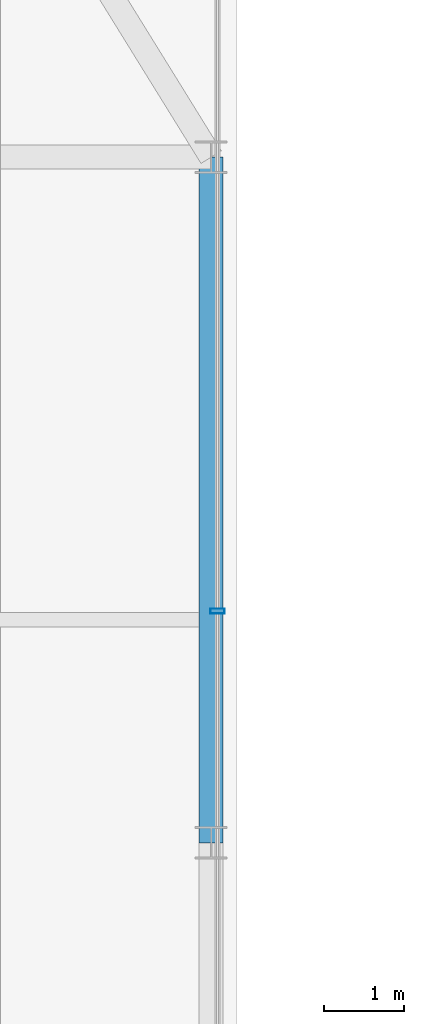
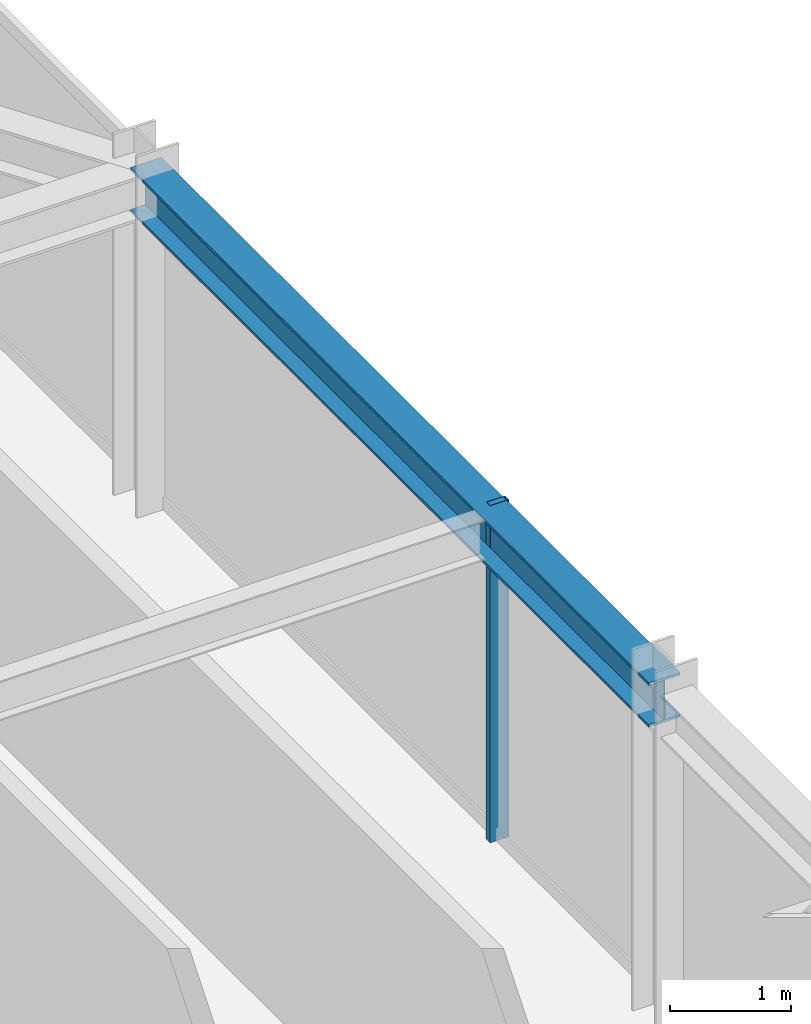
# One storey, part 25 of 36: 1 beam, 1 member, 1 element without a shape of its own.
"""IFC4 building model written with IfcOpenShell, lengths in metres."""

from ifc_helpers import new_model, si_unit, direction, frame, origin, origin_2d, place, context, subcontext, project, spatial, hollow_rectangle, i_section, extrude, source, transform, mapped, material, material_profile, profile_set, type_object, element, aggregate, save


model = new_model("IFC4")

# Units and contexts
model_context = context("Model", 3, precision=1e-05, world=origin(), true_north=direction((0.0, 1.0)))
body_context = subcontext(model_context, "Body", "Model", "MODEL_VIEW")
ifc_project = project(units=[si_unit("LENGTHUNIT", "METRE"), si_unit("AREAUNIT", "SQUARE_METRE"), si_unit("VOLUMEUNIT", "CUBIC_METRE"), si_unit("PLANEANGLEUNIT", "RADIAN"), si_unit("MASSUNIT", "GRAM", prefix="KILO")], contexts=[model_context])

# Site, building, storey
site_placement = place(None, origin())
site = spatial("IfcSite", under=ifc_project, at=site_placement, CompositionType="ELEMENT")
building_placement = place(site_placement, origin())
building = spatial("IfcBuilding", under=site, at=building_placement, Name="Nahalor Promenade Grand Hotel", CompositionType="ELEMENT")
storey_placement = place(building_placement, frame((0.0, 0.0, 234.5)))
storey = spatial("IfcBuildingStorey", under=building, at=storey_placement, Name="L60", CompositionType="ELEMENT", Elevation=234.5)

# Beam
ifc_material_1 = material(Name="Steel S355JR", Category="steel")
ifc_material_profile_1 = material_profile(ifc_material_1, i_section(OverallWidth=0.3, OverallDepth=0.45, WebThickness=0.014, FlangeThickness=0.026, at=origin_2d()), Name="HEB 450")
ifc_profile_set_1 = profile_set([ifc_material_profile_1], Name="Steel S355JR")
beam_type = type_object("IfcBeamType", Name="Beam-Spandrel-HEB450", PredefinedType="SPANDREL", material=ifc_profile_set_1)
shared_shape_1 = source(origin(), body_context, "Body", "SweptSolid", [
    extrude(i_section(OverallWidth=0.3, OverallDepth=0.45, WebThickness=0.014, FlangeThickness=0.026, at=origin_2d()), origin(), (0.0, 0.0, 1.0), 8.60009765625),
])
beam_placement = place(storey_placement, frame((23.8798828125, 8.39990234375, 3.18505859375), z_axis=(0.0, 1.0, 0.0), x_axis=(-1.0, 0.0, 0.0)))
element("IfcBeam", 1, at=beam_placement, inside=storey, type_object=beam_type, Name="BM-L60-SP-E-4", PredefinedType="SPANDREL", context=body_context, shape_type="MappedRepresentation", body=[
    mapped(shared_shape_1, transform((0.0, 0.0, 0.0), scale=1.0)),
])

# Curtain wall, member
ifc_material_2 = material(Name="Anodised Bronze Aluminium EN AW-6063 T6", Category="aluminium")
curtain_wall_type = type_object("IfcCurtainWallType", Name="CW2 Typical Hotel Flush Bronze Unitised Curtain Wall", PredefinedType="USERDEFINED", material=ifc_material_2)
curtain_wall_placement = place(storey_placement, origin())
curtain_wall = element("IfcCurtainWall", 2, at=curtain_wall_placement, inside=storey, type_object=curtain_wall_type, Name="L60 Curtain Wall CW-L60-E-3", ObjectType="UNITISED_CURTAIN_WALL", PredefinedType="USERDEFINED")
ifc_material_profile_2 = material_profile(ifc_material_2, hollow_rectangle(XDim=0.065, YDim=0.18, WallThickness=0.004, at=origin_2d()), Name="CWM 65x180x4")
ifc_profile_set_2 = profile_set([ifc_material_profile_2], Name="Anodised Bronze Aluminium EN AW-6063 T6")
member_type = type_object("IfcMemberType", Name="CWM2 Typical Bronze Mullion 65x180", PredefinedType="MULLION", material=ifc_profile_set_2)
shared_shape_2 = source(origin(), body_context, "Body", "SweptSolid", [
    extrude(hollow_rectangle(XDim=0.065, YDim=0.18, WallThickness=0.004, at=origin_2d()), origin(), (0.0, 0.0, 1.0), 3.409912109375),
])
member_placement = place(storey_placement, frame((23.9599609375, 11.306640625, 0.0), z_axis=(0.0, 0.0, 1.0), x_axis=(0.0, 1.0, 0.0)))
member = element("IfcMember", 3, at=member_placement, type_object=member_type, Name="CW-L60-E-3 Mullion 2", PredefinedType="MULLION", context=body_context, shape_type="MappedRepresentation", body=[
    mapped(shared_shape_2, transform((0.0, 0.0, 0.0), scale=1.0)),
])
aggregate(curtain_wall, [member])

save(model, "model.ifc")
